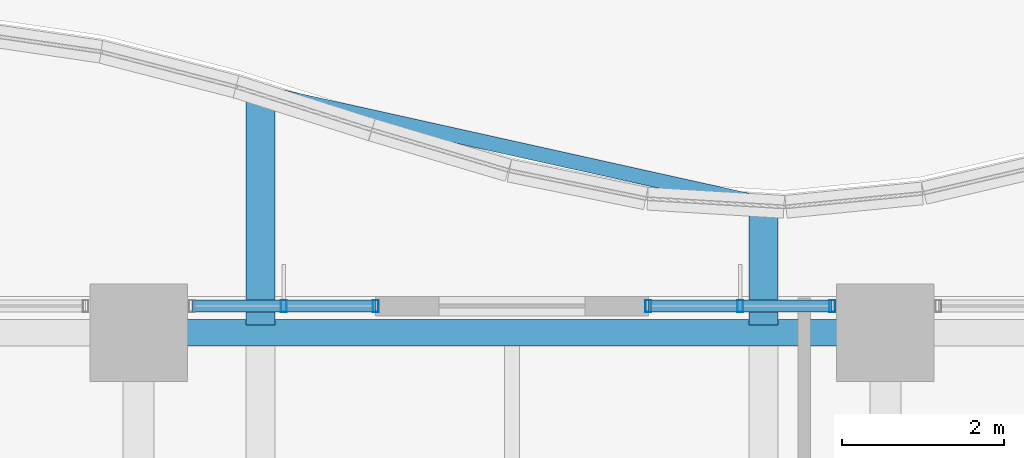
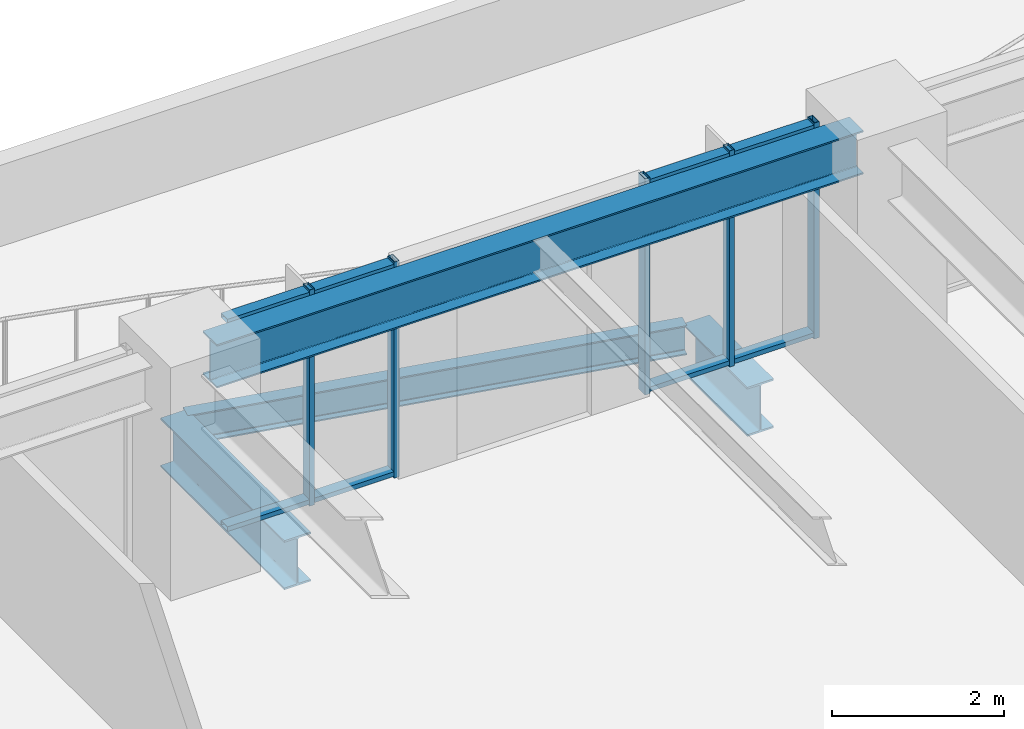
# One storey, part 21 of 36: 9 members, 4 beams, 2 elements without a shape of their own.
"""IFC4 building model written with IfcOpenShell, lengths in metres."""

from ifc_helpers import new_model, si_unit, direction, frame, origin, origin_2d, place, context, subcontext, project, spatial, hollow_rectangle, i_section, extrude, material, material_profile, profile_set, type_object, element, aggregate, save


model = new_model("IFC4")

# Units and contexts
model_context = context("Model", 3, precision=1e-05, world=origin(), true_north=direction((0.0, 1.0)))
body_context = subcontext(model_context, "Body", "Model", "MODEL_VIEW")
ifc_project = project(units=[si_unit("LENGTHUNIT", "METRE"), si_unit("AREAUNIT", "SQUARE_METRE"), si_unit("VOLUMEUNIT", "CUBIC_METRE"), si_unit("PLANEANGLEUNIT", "RADIAN"), si_unit("MASSUNIT", "GRAM", prefix="KILO")], contexts=[model_context])

# Site, building, storey
site_placement = place(None, origin())
site = spatial("IfcSite", under=ifc_project, at=site_placement, CompositionType="ELEMENT")
building_placement = place(site_placement, origin())
building = spatial("IfcBuilding", under=site, at=building_placement, Name="Kolvaren Belvedere", CompositionType="ELEMENT")
storey_placement = place(building_placement, frame((0.0, 0.0, 23.800048828125)))
storey = spatial("IfcBuildingStorey", under=building, at=storey_placement, Name="L06", CompositionType="ELEMENT", Elevation=23.800048828125)

# Beams
ifc_material_1 = material(Name="Structural steel ASTM A992 Grade 50", Category="steel")
ifc_material_profile_1 = material_profile(ifc_material_1, i_section(OverallWidth=0.35498046875, OverallDepth=0.696044921875, WebThickness=0.015380859375, FlangeThickness=0.02490234375, FilletRadius=0.02197265625, at=origin_2d()), Name="W27X146")
ifc_profile_set_1 = profile_set([ifc_material_profile_1], Name="Structural steel ASTM A992 Grade 50")
beam_type_1 = type_object("IfcBeamType", Name="BM-CANT-BAL", PredefinedType="BEAM", material=ifc_profile_set_1)
beam_1_placement = place(storey_placement, frame((-3.10009765625, 21.64501953125, -0.588134765625), z_axis=(0.0, 1.0, 0.0), x_axis=(-1.0, 0.0, 0.0)))
element("IfcBeam", 1, at=beam_1_placement, inside=storey, type_object=beam_type_1, Name="L06 Planted Balcony Cantilever BAL-N-1", PredefinedType="BEAM", context=body_context, shape_type="SweptSolid", body=[
    extrude(i_section(OverallWidth=0.35498046875, OverallDepth=0.696044921875, WebThickness=0.015380859375, FlangeThickness=0.02490234375, FilletRadius=0.02197265625, at=origin_2d()), origin(), (0.0, 0.0, 1.0), 2.8701171875),
])
beam_2_placement = place(storey_placement, frame((3.10009765625, 21.64501953125, -0.588134765625), z_axis=(0.0, 1.0, 0.0), x_axis=(-1.0, 0.0, 0.0)))
element("IfcBeam", 2, at=beam_2_placement, inside=storey, type_object=beam_type_1, Name="L06 Planted Balcony Cantilever BAL-N-2", PredefinedType="BEAM", context=body_context, shape_type="SweptSolid", body=[
    extrude(i_section(OverallWidth=0.35498046875, OverallDepth=0.696044921875, WebThickness=0.015380859375, FlangeThickness=0.02490234375, FilletRadius=0.02197265625, at=origin_2d()), origin(), (0.0, 0.0, 1.0), 1.49267578125),
])
ifc_material_2 = material(Name="Structural steel ASTM A992 Grade 50", Category="steel")
ifc_material_profile_2 = material_profile(ifc_material_2, i_section(OverallWidth=0.180908203125, OverallDepth=0.4169921875, WebThickness=0.010986328125, FlangeThickness=0.018310546875, FilletRadius=0.013916015625, at=origin_2d()), Name="W16X57")
ifc_profile_set_2 = profile_set([ifc_material_profile_2], Name="Structural steel ASTM A992 Grade 50")
beam_type_2 = type_object("IfcBeamType", Name="BM-EDGE-W16X57", PredefinedType="BEAM", material=ifc_profile_set_2)
beam_3_placement = place(storey_placement, frame((-2.96337890625, 24.484619140625, -0.448486328125), z_axis=(0.976209763329, -0.216828268408, 0.0), x_axis=(0.216828268408, 0.976209763329, 0.0)))
element("IfcBeam", 3, at=beam_3_placement, inside=storey, type_object=beam_type_2, Name="L06 Balcony Tip Header Beam BAL-N", PredefinedType="BEAM", context=body_context, shape_type="SweptSolid", body=[
    extrude(i_section(OverallWidth=0.180908203125, OverallDepth=0.4169921875, WebThickness=0.010986328125, FlangeThickness=0.018310546875, FilletRadius=0.013916015625, at=origin_2d()), origin(), (0.0, 0.0, 1.0), 6.0712890625),
])
ifc_material_3 = material(Name="Structural steel ASTM A992 Grade 50", Category="steel")
ifc_material_profile_3 = material_profile(ifc_material_3, i_section(OverallWidth=0.324951171875, OverallDepth=0.615966796875, WebThickness=0.013916015625, FlangeThickness=0.021484375, FilletRadius=0.02001953125, at=origin_2d()), Name="W24X117")
ifc_profile_set_3 = profile_set([ifc_material_profile_3], Name="Structural steel ASTM A992 Grade 50")
beam_type_3 = type_object("IfcBeamType", Name="BM-SPAN-W24X117", PredefinedType="SPANDREL", material=ifc_profile_set_3)
beam_4_placement = place(storey_placement, frame((4.330078125, 21.550048828125, 2.751953125), z_axis=(-1.0, 0.0, 0.0), x_axis=(0.0, -1.0, 0.0)))
element("IfcBeam", 4, at=beam_4_placement, inside=storey, type_object=beam_type_3, Name="L06 Perimeter Spandrel N3-N2", PredefinedType="SPANDREL", context=body_context, shape_type="SweptSolid", body=[
    extrude(i_section(OverallWidth=0.324951171875, OverallDepth=0.615966796875, WebThickness=0.013916015625, FlangeThickness=0.021484375, FilletRadius=0.02001953125, at=origin_2d()), origin(), (0.0, 0.0, 1.0), 8.66015625),
])

# Curtain wall, members
ifc_material_4 = material(Name="Anodised pale-metal aluminium AA 6063-T6", Category="aluminium")
curtain_wall_type = type_object("IfcCurtainWallType", Name="CW-Z1-LOW", PredefinedType="NOTDEFINED", material=ifc_material_4)
curtain_wall_1_placement = place(storey_placement, origin())
curtain_wall_1 = element("IfcCurtainWall", 5, at=curtain_wall_1_placement, inside=storey, type_object=curtain_wall_type, Name="L06 Unitised Curtain Wall FCW-L06-N1-B2", PredefinedType="NOTDEFINED")
ifc_material_5 = material(Name="Anodised pale-metal aluminium AA 6063-T6", Category="aluminium")
ifc_material_profile_4 = material_profile(ifc_material_5, hollow_rectangle(XDim=0.070068359375, YDim=0.14990234375, WallThickness=0.004150390625, at=origin_2d()), Name="ALU-MUL-150X70")
ifc_profile_set_4 = profile_set([ifc_material_profile_4], Name="Anodised pale-metal aluminium AA 6063-T6")
member_type_1 = type_object("IfcMemberType", Name="CW-MUL-150", PredefinedType="MULLION", material=ifc_profile_set_4)
member_1_placement = place(storey_placement, frame((-2.8125, 21.8798828125, 0.0), z_axis=(0.0, 0.0, 1.0), x_axis=(1.0, 0.0, 0.0)))
member_1 = element("IfcMember", 6, at=member_1_placement, type_object=member_type_1, Name="FCW-L06-N1-B2 Unitised Mullion 2", PredefinedType="MULLION", context=body_context, shape_type="SweptSolid", body=[
    extrude(hollow_rectangle(XDim=0.070068359375, YDim=0.14990234375, WallThickness=0.004150390625, at=origin_2d()), origin(), (0.0, 0.0, 1.0), 3.06005859375),
])
member_2_placement = place(storey_placement, frame((-1.679931640625, 21.8798828125, 0.0), z_axis=(0.0, 0.0, 1.0), x_axis=(1.0, 0.0, 0.0)))
member_2 = element("IfcMember", 7, at=member_2_placement, type_object=member_type_1, Name="FCW-L06-N1-B2 Unitised Mullion 3", PredefinedType="MULLION", context=body_context, shape_type="SweptSolid", body=[
    extrude(hollow_rectangle(XDim=0.070068359375, YDim=0.14990234375, WallThickness=0.004150390625, at=origin_2d()), origin(), (0.0, 0.0, 1.0), 3.06005859375),
])

curtain_wall_2_placement = place(storey_placement, origin())
curtain_wall_2 = element("IfcCurtainWall", 8, at=curtain_wall_2_placement, inside=storey, type_object=curtain_wall_type, Name="L06 Unitised Curtain Wall FCW-L06-N2-B1", PredefinedType="NOTDEFINED")
member_3_placement = place(storey_placement, frame((1.679931640625, 21.8798828125, 0.0), z_axis=(0.0, 0.0, 1.0), x_axis=(1.0, 0.0, 0.0)))
member_3 = element("IfcMember", 9, at=member_3_placement, type_object=member_type_1, Name="FCW-L06-N2-B1 Unitised Mullion 1", PredefinedType="MULLION", context=body_context, shape_type="SweptSolid", body=[
    extrude(hollow_rectangle(XDim=0.070068359375, YDim=0.14990234375, WallThickness=0.004150390625, at=origin_2d()), origin(), (0.0, 0.0, 1.0), 3.06005859375),
])
member_4_placement = place(storey_placement, frame((2.8125, 21.8798828125, 0.0), z_axis=(0.0, 0.0, 1.0), x_axis=(1.0, 0.0, 0.0)))
member_4 = element("IfcMember", 10, at=member_4_placement, type_object=member_type_1, Name="FCW-L06-N2-B1 Unitised Mullion 2", PredefinedType="MULLION", context=body_context, shape_type="SweptSolid", body=[
    extrude(hollow_rectangle(XDim=0.070068359375, YDim=0.14990234375, WallThickness=0.004150390625, at=origin_2d()), origin(), (0.0, 0.0, 1.0), 3.06005859375),
])
member_5_placement = place(storey_placement, frame((3.945068359375, 21.8798828125, 0.0), z_axis=(0.0, 0.0, 1.0), x_axis=(1.0, 0.0, 0.0)))
member_5 = element("IfcMember", 11, at=member_5_placement, type_object=member_type_1, Name="FCW-L06-N2-B1 Unitised Mullion 3", PredefinedType="MULLION", context=body_context, shape_type="SweptSolid", body=[
    extrude(hollow_rectangle(XDim=0.070068359375, YDim=0.14990234375, WallThickness=0.004150390625, at=origin_2d()), origin(), (0.0, 0.0, 1.0), 3.06005859375),
])

# Member
ifc_material_6 = material(Name="Anodised pale-metal aluminium AA 6063-T6", Category="aluminium")
ifc_material_profile_5 = material_profile(ifc_material_6, hollow_rectangle(XDim=0.06494140625, YDim=0.14990234375, WallThickness=0.00390625, at=origin_2d()), Name="ALU-TRN-150X65")
ifc_profile_set_5 = profile_set([ifc_material_profile_5], Name="Anodised pale-metal aluminium AA 6063-T6")
member_type_2 = type_object("IfcMemberType", Name="CW-TRN-150", PredefinedType="USERDEFINED", material=ifc_profile_set_5)
member_6_placement = place(storey_placement, frame((-3.945068359375, 21.8798828125, 0.06005859375), z_axis=(1.0, 0.0, 0.0), x_axis=(0.0, 0.0, 1.0)))
member_6 = element("IfcMember", 12, at=member_6_placement, type_object=member_type_2, Name="FCW-L06-N1-B2 Sill Transom", ObjectType="TRANSOM", PredefinedType="USERDEFINED", context=body_context, shape_type="SweptSolid", body=[
    extrude(hollow_rectangle(XDim=0.06494140625, YDim=0.14990234375, WallThickness=0.00390625, at=origin_2d()), origin(), (0.0, 0.0, 1.0), 2.26513671875),
])

member_7_placement = place(storey_placement, frame((-3.945068359375, 21.8798828125, 3.0), z_axis=(1.0, 0.0, 0.0), x_axis=(0.0, 0.0, 1.0)))
member_7 = element("IfcMember", 13, at=member_7_placement, type_object=member_type_2, Name="FCW-L06-N1-B2 Head Transom", ObjectType="TRANSOM", PredefinedType="USERDEFINED", context=body_context, shape_type="SweptSolid", body=[
    extrude(hollow_rectangle(XDim=0.06494140625, YDim=0.14990234375, WallThickness=0.00390625, at=origin_2d()), origin(), (0.0, 0.0, 1.0), 2.26513671875),
])

aggregate(curtain_wall_1, [member_1, member_2, member_6, member_7])

member_8_placement = place(storey_placement, frame((1.679931640625, 21.8798828125, 0.06005859375), z_axis=(1.0, 0.0, 0.0), x_axis=(0.0, 0.0, 1.0)))
member_8 = element("IfcMember", 14, at=member_8_placement, type_object=member_type_2, Name="FCW-L06-N2-B1 Sill Transom", ObjectType="TRANSOM", PredefinedType="USERDEFINED", context=body_context, shape_type="SweptSolid", body=[
    extrude(hollow_rectangle(XDim=0.06494140625, YDim=0.14990234375, WallThickness=0.00390625, at=origin_2d()), origin(), (0.0, 0.0, 1.0), 2.26513671875),
])

member_9_placement = place(storey_placement, frame((1.679931640625, 21.8798828125, 3.0), z_axis=(1.0, 0.0, 0.0), x_axis=(0.0, 0.0, 1.0)))
member_9 = element("IfcMember", 15, at=member_9_placement, type_object=member_type_2, Name="FCW-L06-N2-B1 Head Transom", ObjectType="TRANSOM", PredefinedType="USERDEFINED", context=body_context, shape_type="SweptSolid", body=[
    extrude(hollow_rectangle(XDim=0.06494140625, YDim=0.14990234375, WallThickness=0.00390625, at=origin_2d()), origin(), (0.0, 0.0, 1.0), 2.26513671875),
])

aggregate(curtain_wall_2, [member_3, member_4, member_5, member_8, member_9])

save(model, "model.ifc")
